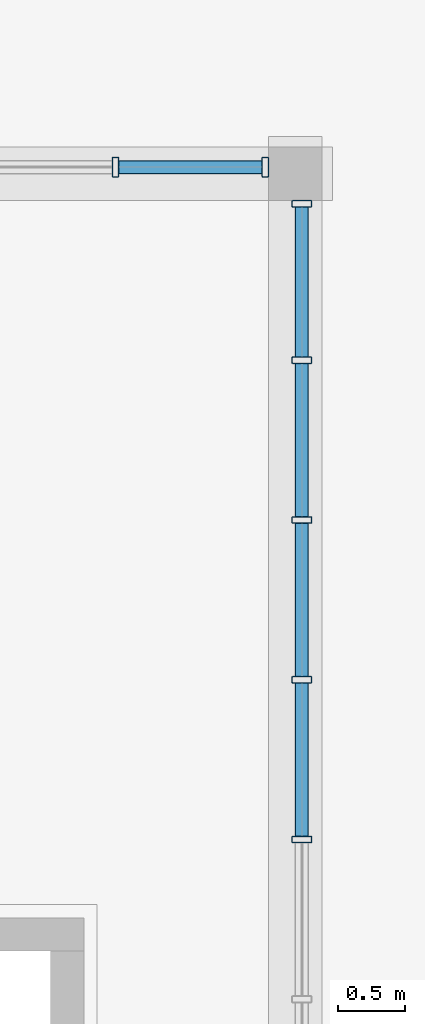
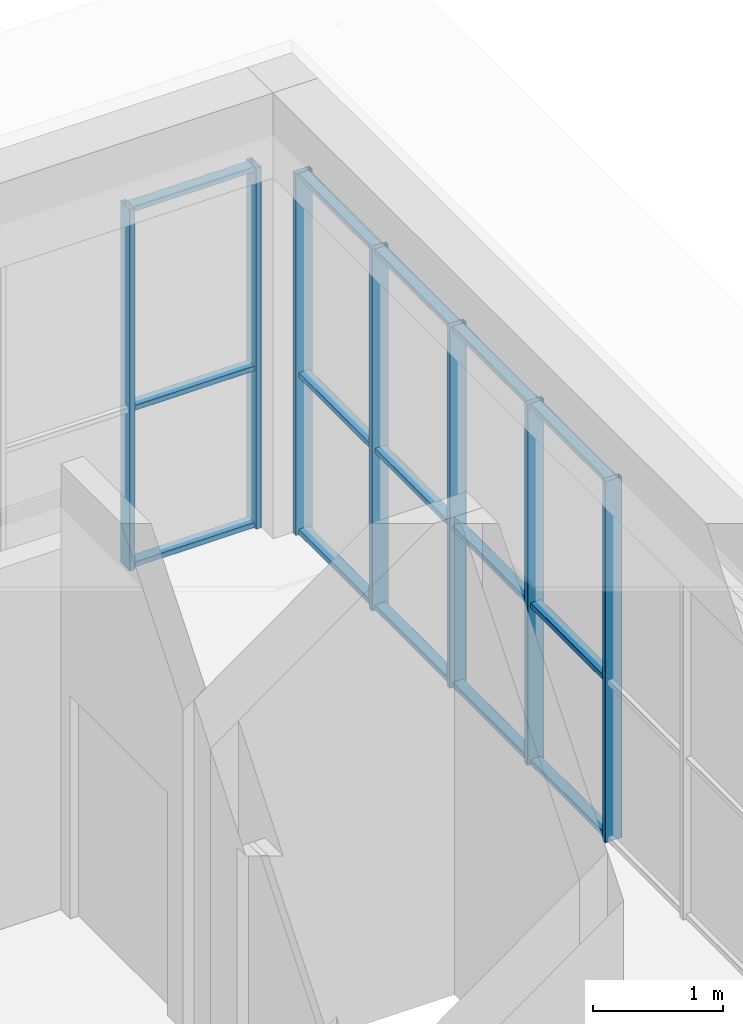
# One storey, part 29 of 92: 22 members, 2 elements without a shape of their own.
"""IFC4 building model written with IfcOpenShell, lengths in metres."""

from ifc_helpers import new_model, si_unit, direction, frame, origin, origin_2d, place, context, subcontext, project, spatial, hollow_rectangle, extrude, material, material_profile, profile_set, type_object, element, aggregate, save


model = new_model("IFC4")

# Units and contexts
model_context = context("Model", 3, precision=1e-05, world=origin(), true_north=direction((0.0, 1.0)))
body_context = subcontext(model_context, "Body", "Model", "MODEL_VIEW")
ifc_project = project(units=[si_unit("LENGTHUNIT", "METRE"), si_unit("AREAUNIT", "SQUARE_METRE"), si_unit("VOLUMEUNIT", "CUBIC_METRE"), si_unit("PLANEANGLEUNIT", "RADIAN"), si_unit("MASSUNIT", "GRAM", prefix="KILO")], contexts=[model_context])

# Site, building, storey
site_placement = place(None, origin())
site = spatial("IfcSite", under=ifc_project, at=site_placement, CompositionType="ELEMENT")
building_placement = place(site_placement, origin())
building = spatial("IfcBuilding", under=site, at=building_placement, Name="Sun Court Science Centre", CompositionType="ELEMENT")
storey_placement = place(building_placement, frame((0.0, 0.0, 11.25)))
storey = spatial("IfcBuildingStorey", under=building, at=storey_placement, Name="L02", CompositionType="ELEMENT", Elevation=11.25)

# Curtain wall, members
ifc_material_1 = material(Name="Aluminium EN AW-6063 T6", Category="aluminium")
curtain_wall_type = type_object("IfcCurtainWallType", Name="Pavilion curtain wall 1200", PredefinedType="NOTDEFINED", material=ifc_material_1)
curtain_wall_1_placement = place(storey_placement, origin())
curtain_wall_1 = element("IfcCurtainWall", 1, at=curtain_wall_1_placement, inside=storey, type_object=curtain_wall_type, Name="Curtain wall V5 N L02 03", PredefinedType="NOTDEFINED")
ifc_material_2 = material(Name="Aluminium EN AW-6063 T6", Category="aluminium")
ifc_material_profile_1 = material_profile(ifc_material_2, hollow_rectangle(XDim=0.050048828125, YDim=0.14990234375, WallThickness=0.00390625, InnerFilletRadius=0.00390625, OuterFilletRadius=0.006103515625, at=origin_2d()), Name="AL 50x150x4")
ifc_profile_set_1 = profile_set([ifc_material_profile_1], Name="Aluminium EN AW-6063 T6")
member_type_1 = type_object("IfcMemberType", Name="Curtain wall mullion AL 50x150", PredefinedType="MULLION", material=ifc_profile_set_1)
member_1_placement = place(storey_placement, frame((64.449951171875, 49.85009765625, 0.0), z_axis=(0.0, 0.0, 1.0), x_axis=(1.0, 0.0, 0.0)))
member_1 = element("IfcMember", 2, at=member_1_placement, type_object=member_type_1, Name="CW3-19 mullion 6", PredefinedType="MULLION", context=body_context, shape_type="SweptSolid", body=[
    extrude(hollow_rectangle(XDim=0.050048828125, YDim=0.14990234375, WallThickness=0.00390625, InnerFilletRadius=0.00390625, OuterFilletRadius=0.006103515625, at=origin_2d()), origin(), (0.0, 0.0, 1.0), 3.39990234375),
])
member_2_placement = place(storey_placement, frame((65.574951171875, 49.85009765625, 0.0), z_axis=(0.0, 0.0, 1.0), x_axis=(1.0, 0.0, 0.0)))
member_2 = element("IfcMember", 3, at=member_2_placement, type_object=member_type_1, Name="CW3-19 mullion 7", PredefinedType="MULLION", context=body_context, shape_type="SweptSolid", body=[
    extrude(hollow_rectangle(XDim=0.050048828125, YDim=0.14990234375, WallThickness=0.00390625, InnerFilletRadius=0.00390625, OuterFilletRadius=0.006103515625, at=origin_2d()), origin(), (0.0, 0.0, 1.0), 3.39990234375),
])

curtain_wall_2_placement = place(storey_placement, origin())
curtain_wall_2 = element("IfcCurtainWall", 4, at=curtain_wall_2_placement, inside=storey, type_object=curtain_wall_type, Name="Curtain wall V5 E L02 01", PredefinedType="NOTDEFINED")
member_3_placement = place(storey_placement, frame((65.85009765625, 44.800048828125, 0.0), z_axis=(0.0, 0.0, 1.0), x_axis=(0.0, -1.0, 0.0)))
member_3 = element("IfcMember", 5, at=member_3_placement, type_object=member_type_1, Name="CW3-22 mullion 5", PredefinedType="MULLION", context=body_context, shape_type="SweptSolid", body=[
    extrude(hollow_rectangle(XDim=0.050048828125, YDim=0.14990234375, WallThickness=0.00390625, InnerFilletRadius=0.00390625, OuterFilletRadius=0.006103515625, at=origin_2d()), origin(), (0.0, 0.0, 1.0), 3.39990234375),
])
member_4_placement = place(storey_placement, frame((65.85009765625, 46.0, 0.0), z_axis=(0.0, 0.0, 1.0), x_axis=(0.0, -1.0, 0.0)))
member_4 = element("IfcMember", 6, at=member_4_placement, type_object=member_type_1, Name="CW3-22 mullion 4", PredefinedType="MULLION", context=body_context, shape_type="SweptSolid", body=[
    extrude(hollow_rectangle(XDim=0.050048828125, YDim=0.14990234375, WallThickness=0.00390625, InnerFilletRadius=0.00390625, OuterFilletRadius=0.006103515625, at=origin_2d()), origin(), (0.0, 0.0, 1.0), 3.39990234375),
])
member_5_placement = place(storey_placement, frame((65.85009765625, 47.199951171875, 0.0), z_axis=(0.0, 0.0, 1.0), x_axis=(0.0, -1.0, 0.0)))
member_5 = element("IfcMember", 7, at=member_5_placement, type_object=member_type_1, Name="CW3-22 mullion 3", PredefinedType="MULLION", context=body_context, shape_type="SweptSolid", body=[
    extrude(hollow_rectangle(XDim=0.050048828125, YDim=0.14990234375, WallThickness=0.00390625, InnerFilletRadius=0.00390625, OuterFilletRadius=0.006103515625, at=origin_2d()), origin(), (0.0, 0.0, 1.0), 3.39990234375),
])
member_6_placement = place(storey_placement, frame((65.85009765625, 48.39990234375, 0.0), z_axis=(0.0, 0.0, 1.0), x_axis=(0.0, -1.0, 0.0)))
member_6 = element("IfcMember", 8, at=member_6_placement, type_object=member_type_1, Name="CW3-22 mullion 2", PredefinedType="MULLION", context=body_context, shape_type="SweptSolid", body=[
    extrude(hollow_rectangle(XDim=0.050048828125, YDim=0.14990234375, WallThickness=0.00390625, InnerFilletRadius=0.00390625, OuterFilletRadius=0.006103515625, at=origin_2d()), origin(), (0.0, 0.0, 1.0), 3.39990234375),
])
member_7_placement = place(storey_placement, frame((65.85009765625, 49.574951171875, 0.0), z_axis=(0.0, 0.0, 1.0), x_axis=(0.0, -1.0, 0.0)))
member_7 = element("IfcMember", 9, at=member_7_placement, type_object=member_type_1, Name="CW3-22 mullion 1", PredefinedType="MULLION", context=body_context, shape_type="SweptSolid", body=[
    extrude(hollow_rectangle(XDim=0.050048828125, YDim=0.14990234375, WallThickness=0.00390625, InnerFilletRadius=0.00390625, OuterFilletRadius=0.006103515625, at=origin_2d()), origin(), (0.0, 0.0, 1.0), 3.39990234375),
])

# Member
ifc_material_3 = material(Name="Aluminium EN AW-6063 T6", Category="aluminium")
ifc_material_profile_2 = material_profile(ifc_material_3, hollow_rectangle(XDim=0.050048828125, YDim=0.10009765625, WallThickness=0.00390625, InnerFilletRadius=0.00390625, OuterFilletRadius=0.006103515625, at=origin_2d()), Name="AL 50x100x4")
ifc_profile_set_2 = profile_set([ifc_material_profile_2], Name="Aluminium EN AW-6063 T6")
member_type_2 = type_object("IfcMemberType", Name="Curtain wall transom AL 50x100", PredefinedType="USERDEFINED", material=ifc_profile_set_2)
member_8_placement = place(storey_placement, frame((64.47509765625, 49.85009765625, 0.02490234375), z_axis=(1.0, 0.0, 0.0), x_axis=(0.0, 0.0, 1.0)))
member_8 = element("IfcMember", 10, at=member_8_placement, type_object=member_type_2, Name="CW3-19 transom 6.1", ObjectType="TRANSOM", PredefinedType="USERDEFINED", context=body_context, shape_type="SweptSolid", body=[
    extrude(hollow_rectangle(XDim=0.050048828125, YDim=0.10009765625, WallThickness=0.00390625, InnerFilletRadius=0.00390625, OuterFilletRadius=0.006103515625, at=origin_2d()), origin(), (0.0, 0.0, 1.0), 1.074951171875),
])

member_9_placement = place(storey_placement, frame((64.47509765625, 49.85009765625, 1.5), z_axis=(1.0, 0.0, 0.0), x_axis=(0.0, 0.0, 1.0)))
member_9 = element("IfcMember", 11, at=member_9_placement, type_object=member_type_2, Name="CW3-19 transom 6.2", ObjectType="TRANSOM", PredefinedType="USERDEFINED", context=body_context, shape_type="SweptSolid", body=[
    extrude(hollow_rectangle(XDim=0.050048828125, YDim=0.10009765625, WallThickness=0.00390625, InnerFilletRadius=0.00390625, OuterFilletRadius=0.006103515625, at=origin_2d()), origin(), (0.0, 0.0, 1.0), 1.074951171875),
])

member_10_placement = place(storey_placement, frame((64.47509765625, 49.85009765625, 3.375), z_axis=(1.0, 0.0, 0.0), x_axis=(0.0, 0.0, 1.0)))
member_10 = element("IfcMember", 12, at=member_10_placement, type_object=member_type_2, Name="CW3-19 transom 6.3", ObjectType="TRANSOM", PredefinedType="USERDEFINED", context=body_context, shape_type="SweptSolid", body=[
    extrude(hollow_rectangle(XDim=0.050048828125, YDim=0.10009765625, WallThickness=0.00390625, InnerFilletRadius=0.00390625, OuterFilletRadius=0.006103515625, at=origin_2d()), origin(), (0.0, 0.0, 1.0), 1.074951171875),
])

aggregate(curtain_wall_1, [member_1, member_2, member_8, member_9, member_10])

member_11_placement = place(storey_placement, frame((65.85009765625, 45.97509765625, 0.02490234375), z_axis=(0.0, -1.0, 0.0), x_axis=(0.0, 0.0, 1.0)))
member_11 = element("IfcMember", 13, at=member_11_placement, type_object=member_type_2, Name="CW3-22 transom 4.1", ObjectType="TRANSOM", PredefinedType="USERDEFINED", context=body_context, shape_type="SweptSolid", body=[
    extrude(hollow_rectangle(XDim=0.050048828125, YDim=0.10009765625, WallThickness=0.00390625, InnerFilletRadius=0.00390625, OuterFilletRadius=0.006103515625, at=origin_2d()), origin(), (0.0, 0.0, 1.0), 1.150146484375),
])

member_12_placement = place(storey_placement, frame((65.85009765625, 47.175048828125, 0.02490234375), z_axis=(0.0, -1.0, 0.0), x_axis=(0.0, 0.0, 1.0)))
member_12 = element("IfcMember", 14, at=member_12_placement, type_object=member_type_2, Name="CW3-22 transom 3.1", ObjectType="TRANSOM", PredefinedType="USERDEFINED", context=body_context, shape_type="SweptSolid", body=[
    extrude(hollow_rectangle(XDim=0.050048828125, YDim=0.10009765625, WallThickness=0.00390625, InnerFilletRadius=0.00390625, OuterFilletRadius=0.006103515625, at=origin_2d()), origin(), (0.0, 0.0, 1.0), 1.150146484375),
])

member_13_placement = place(storey_placement, frame((65.85009765625, 48.375, 0.02490234375), z_axis=(0.0, -1.0, 0.0), x_axis=(0.0, 0.0, 1.0)))
member_13 = element("IfcMember", 15, at=member_13_placement, type_object=member_type_2, Name="CW3-22 transom 2.1", ObjectType="TRANSOM", PredefinedType="USERDEFINED", context=body_context, shape_type="SweptSolid", body=[
    extrude(hollow_rectangle(XDim=0.050048828125, YDim=0.10009765625, WallThickness=0.00390625, InnerFilletRadius=0.00390625, OuterFilletRadius=0.006103515625, at=origin_2d()), origin(), (0.0, 0.0, 1.0), 1.14990234375),
])

member_14_placement = place(storey_placement, frame((65.85009765625, 49.550048828125, 0.02490234375), z_axis=(0.0, -1.0, 0.0), x_axis=(0.0, 0.0, 1.0)))
member_14 = element("IfcMember", 16, at=member_14_placement, type_object=member_type_2, Name="CW3-22 transom 1.1", ObjectType="TRANSOM", PredefinedType="USERDEFINED", context=body_context, shape_type="SweptSolid", body=[
    extrude(hollow_rectangle(XDim=0.050048828125, YDim=0.10009765625, WallThickness=0.00390625, InnerFilletRadius=0.00390625, OuterFilletRadius=0.006103515625, at=origin_2d()), origin(), (0.0, 0.0, 1.0), 1.125),
])

member_15_placement = place(storey_placement, frame((65.85009765625, 45.97509765625, 1.5), z_axis=(0.0, -1.0, 0.0), x_axis=(0.0, 0.0, 1.0)))
member_15 = element("IfcMember", 17, at=member_15_placement, type_object=member_type_2, Name="CW3-22 transom 4.2", ObjectType="TRANSOM", PredefinedType="USERDEFINED", context=body_context, shape_type="SweptSolid", body=[
    extrude(hollow_rectangle(XDim=0.050048828125, YDim=0.10009765625, WallThickness=0.00390625, InnerFilletRadius=0.00390625, OuterFilletRadius=0.006103515625, at=origin_2d()), origin(), (0.0, 0.0, 1.0), 1.150146484375),
])

member_16_placement = place(storey_placement, frame((65.85009765625, 47.175048828125, 1.5), z_axis=(0.0, -1.0, 0.0), x_axis=(0.0, 0.0, 1.0)))
member_16 = element("IfcMember", 18, at=member_16_placement, type_object=member_type_2, Name="CW3-22 transom 3.2", ObjectType="TRANSOM", PredefinedType="USERDEFINED", context=body_context, shape_type="SweptSolid", body=[
    extrude(hollow_rectangle(XDim=0.050048828125, YDim=0.10009765625, WallThickness=0.00390625, InnerFilletRadius=0.00390625, OuterFilletRadius=0.006103515625, at=origin_2d()), origin(), (0.0, 0.0, 1.0), 1.150146484375),
])

member_17_placement = place(storey_placement, frame((65.85009765625, 48.375, 1.5), z_axis=(0.0, -1.0, 0.0), x_axis=(0.0, 0.0, 1.0)))
member_17 = element("IfcMember", 19, at=member_17_placement, type_object=member_type_2, Name="CW3-22 transom 2.2", ObjectType="TRANSOM", PredefinedType="USERDEFINED", context=body_context, shape_type="SweptSolid", body=[
    extrude(hollow_rectangle(XDim=0.050048828125, YDim=0.10009765625, WallThickness=0.00390625, InnerFilletRadius=0.00390625, OuterFilletRadius=0.006103515625, at=origin_2d()), origin(), (0.0, 0.0, 1.0), 1.14990234375),
])

member_18_placement = place(storey_placement, frame((65.85009765625, 49.550048828125, 1.5), z_axis=(0.0, -1.0, 0.0), x_axis=(0.0, 0.0, 1.0)))
member_18 = element("IfcMember", 20, at=member_18_placement, type_object=member_type_2, Name="CW3-22 transom 1.2", ObjectType="TRANSOM", PredefinedType="USERDEFINED", context=body_context, shape_type="SweptSolid", body=[
    extrude(hollow_rectangle(XDim=0.050048828125, YDim=0.10009765625, WallThickness=0.00390625, InnerFilletRadius=0.00390625, OuterFilletRadius=0.006103515625, at=origin_2d()), origin(), (0.0, 0.0, 1.0), 1.125),
])

member_19_placement = place(storey_placement, frame((65.85009765625, 45.97509765625, 3.375), z_axis=(0.0, -1.0, 0.0), x_axis=(0.0, 0.0, 1.0)))
member_19 = element("IfcMember", 21, at=member_19_placement, type_object=member_type_2, Name="CW3-22 transom 4.3", ObjectType="TRANSOM", PredefinedType="USERDEFINED", context=body_context, shape_type="SweptSolid", body=[
    extrude(hollow_rectangle(XDim=0.050048828125, YDim=0.10009765625, WallThickness=0.00390625, InnerFilletRadius=0.00390625, OuterFilletRadius=0.006103515625, at=origin_2d()), origin(), (0.0, 0.0, 1.0), 1.150146484375),
])

member_20_placement = place(storey_placement, frame((65.85009765625, 47.175048828125, 3.375), z_axis=(0.0, -1.0, 0.0), x_axis=(0.0, 0.0, 1.0)))
member_20 = element("IfcMember", 22, at=member_20_placement, type_object=member_type_2, Name="CW3-22 transom 3.3", ObjectType="TRANSOM", PredefinedType="USERDEFINED", context=body_context, shape_type="SweptSolid", body=[
    extrude(hollow_rectangle(XDim=0.050048828125, YDim=0.10009765625, WallThickness=0.00390625, InnerFilletRadius=0.00390625, OuterFilletRadius=0.006103515625, at=origin_2d()), origin(), (0.0, 0.0, 1.0), 1.150146484375),
])

member_21_placement = place(storey_placement, frame((65.85009765625, 48.375, 3.375), z_axis=(0.0, -1.0, 0.0), x_axis=(0.0, 0.0, 1.0)))
member_21 = element("IfcMember", 23, at=member_21_placement, type_object=member_type_2, Name="CW3-22 transom 2.3", ObjectType="TRANSOM", PredefinedType="USERDEFINED", context=body_context, shape_type="SweptSolid", body=[
    extrude(hollow_rectangle(XDim=0.050048828125, YDim=0.10009765625, WallThickness=0.00390625, InnerFilletRadius=0.00390625, OuterFilletRadius=0.006103515625, at=origin_2d()), origin(), (0.0, 0.0, 1.0), 1.14990234375),
])

member_22_placement = place(storey_placement, frame((65.85009765625, 49.550048828125, 3.375), z_axis=(0.0, -1.0, 0.0), x_axis=(0.0, 0.0, 1.0)))
member_22 = element("IfcMember", 24, at=member_22_placement, type_object=member_type_2, Name="CW3-22 transom 1.3", ObjectType="TRANSOM", PredefinedType="USERDEFINED", context=body_context, shape_type="SweptSolid", body=[
    extrude(hollow_rectangle(XDim=0.050048828125, YDim=0.10009765625, WallThickness=0.00390625, InnerFilletRadius=0.00390625, OuterFilletRadius=0.006103515625, at=origin_2d()), origin(), (0.0, 0.0, 1.0), 1.125),
])

aggregate(curtain_wall_2, [member_3, member_4, member_5, member_6, member_7, member_11, member_12, member_13, member_14, member_15, member_16, member_17, member_18, member_19, member_20, member_21, member_22])

save(model, "model.ifc")
